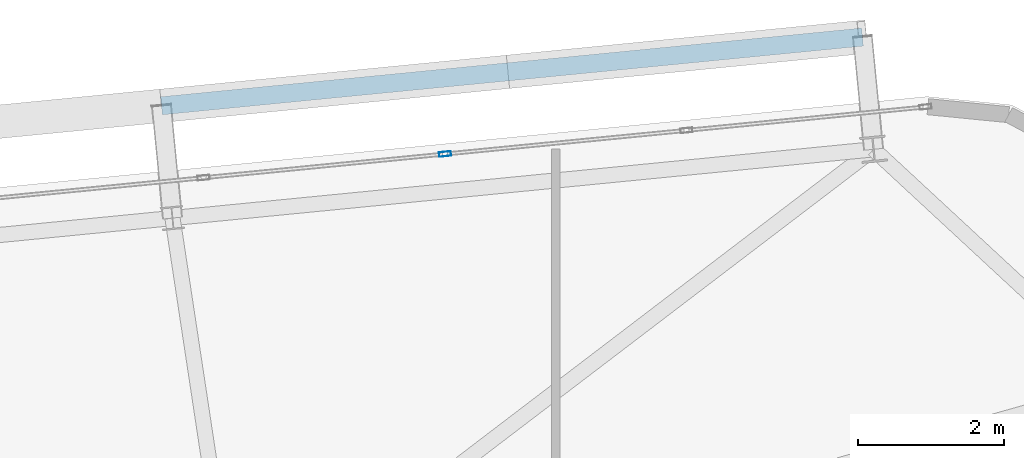
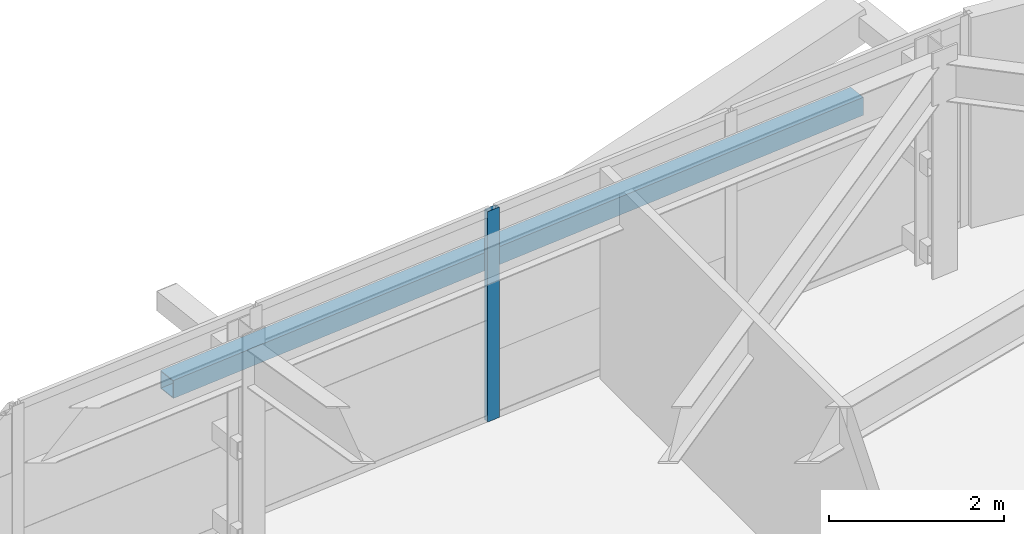
# One storey, part 33 of 53: 2 members, 1 element without a shape of its own.
"""IFC4 building model written with IfcOpenShell, lengths in metres."""

from ifc_helpers import new_model, si_unit, direction, frame, origin, origin_2d, place, context, subcontext, project, spatial, hollow_rectangle, extrude, source, transform, mapped, material, layer, layer_set, material_profile, profile_set, type_object, element, aggregate, save


model = new_model("IFC4")

# Units and contexts
model_context = context("Model", 3, precision=1e-05, world=origin(), true_north=direction((0.0, 1.0)))
body_context = subcontext(model_context, "Body", "Model", "MODEL_VIEW")
ifc_project = project(units=[si_unit("LENGTHUNIT", "METRE"), si_unit("AREAUNIT", "SQUARE_METRE"), si_unit("VOLUMEUNIT", "CUBIC_METRE"), si_unit("PLANEANGLEUNIT", "RADIAN"), si_unit("MASSUNIT", "GRAM", prefix="KILO")], contexts=[model_context])

# Site, building, storey
site_placement = place(None, origin())
site = spatial("IfcSite", under=ifc_project, at=site_placement, CompositionType="ELEMENT")
building_placement = place(site_placement, origin())
building = spatial("IfcBuilding", under=site, at=building_placement, Name="Taldren Reach Tower", CompositionType="ELEMENT")
storey_placement = place(building_placement, frame((0.0, 0.0, 80.85009765625)))
storey = spatial("IfcBuildingStorey", under=building, at=storey_placement, Name="L24", CompositionType="ELEMENT", Elevation=80.85009765625)

# Member
ifc_material_1 = material(Name="Steel Gr 350 (C350L0)", Category="steel")
ifc_material_profile_1 = material_profile(ifc_material_1, hollow_rectangle(XDim=0.25, YDim=0.25, WallThickness=0.010009765625, at=origin_2d()), Name="250x250x10.0SHS")
ifc_profile_set_1 = profile_set([ifc_material_profile_1], Name="Steel Gr 350 (C350L0)")
member_type_1 = type_object("IfcMemberType", Name="MB-POST250", PredefinedType="POST", material=ifc_profile_set_1)
shared_shape_1 = source(origin(), body_context, "Body", "SweptSolid", [
    extrude(hollow_rectangle(XDim=0.25, YDim=0.25, WallThickness=0.010009765625, at=origin_2d()), origin(), (0.0, 0.0, 1.0), 9.679931640625),
])
member_1_placement = place(storey_placement, frame((49.980712890625, 39.27783203125, 1.434814453125), z_axis=(0.995227612658, 0.097580730699, 0.0), x_axis=(-0.097580730699, 0.995227612658, 0.0)))
element("IfcMember", 1, at=member_1_placement, inside=storey, type_object=member_type_1, Name="Exoskeleton mid-height ring chord B2-N5 L24", PredefinedType="POST", context=body_context, shape_type="MappedRepresentation", body=[
    mapped(shared_shape_1, transform((0.0, 0.0, 0.0), scale=1.0)),
])

# Curtain wall, member
ifc_material_2 = material(Name="Aluminium and Low-E Glass Unitised System", Category="aluminium")
ifc_layer = layer(ifc_material_2, 0.159912109375)
ifc_layer_set = layer_set([ifc_layer], Name="Aluminium and Low-E Glass Unitised System")
curtain_wall_type = type_object("IfcCurtainWallType", Name="CW-SYS-3", PredefinedType="NOTDEFINED", material=ifc_layer_set)
curtain_wall_placement = place(storey_placement, origin())
curtain_wall = element("IfcCurtainWall", 2, at=curtain_wall_placement, inside=storey, type_object=curtain_wall_type, Name="Unitised curtain wall CW-L24-N", PredefinedType="NOTDEFINED")
ifc_material_3 = material(Name="Anodised Aluminium 6063-T6", Category="aluminium")
ifc_material_profile_2 = material_profile(ifc_material_3, hollow_rectangle(XDim=0.06494140625, YDim=0.1650390625, WallThickness=0.00390625, at=origin_2d()), Name="ALU-165x65x4RHS")
ifc_profile_set_2 = profile_set([ifc_material_profile_2], Name="Anodised Aluminium 6063-T6")
member_type_2 = type_object("IfcMemberType", Name="CW-MUL-165", PredefinedType="MULLION", material=ifc_profile_set_2)
shared_shape_2 = source(origin(), body_context, "Body", "SweptSolid", [
    extrude(hollow_rectangle(XDim=0.06494140625, YDim=0.1650390625, WallThickness=0.00390625, at=origin_2d()), origin(), (0.0, 0.0, 1.0), 2.929931640625),
])
member_2_placement = place(storey_placement, frame((53.87744140625, 38.614990234375, 0.0), z_axis=(0.0, 0.0, 1.0), x_axis=(0.097582999046, -0.995227390247, 0.0)))
member_2 = element("IfcMember", 3, at=member_2_placement, type_object=member_type_2, Name="CW-3 mullion 3", PredefinedType="MULLION", context=body_context, shape_type="MappedRepresentation", body=[
    mapped(shared_shape_2, transform((0.0, 0.0, 0.0), scale=1.0)),
])
aggregate(curtain_wall, [member_2])

save(model, "model.ifc")
